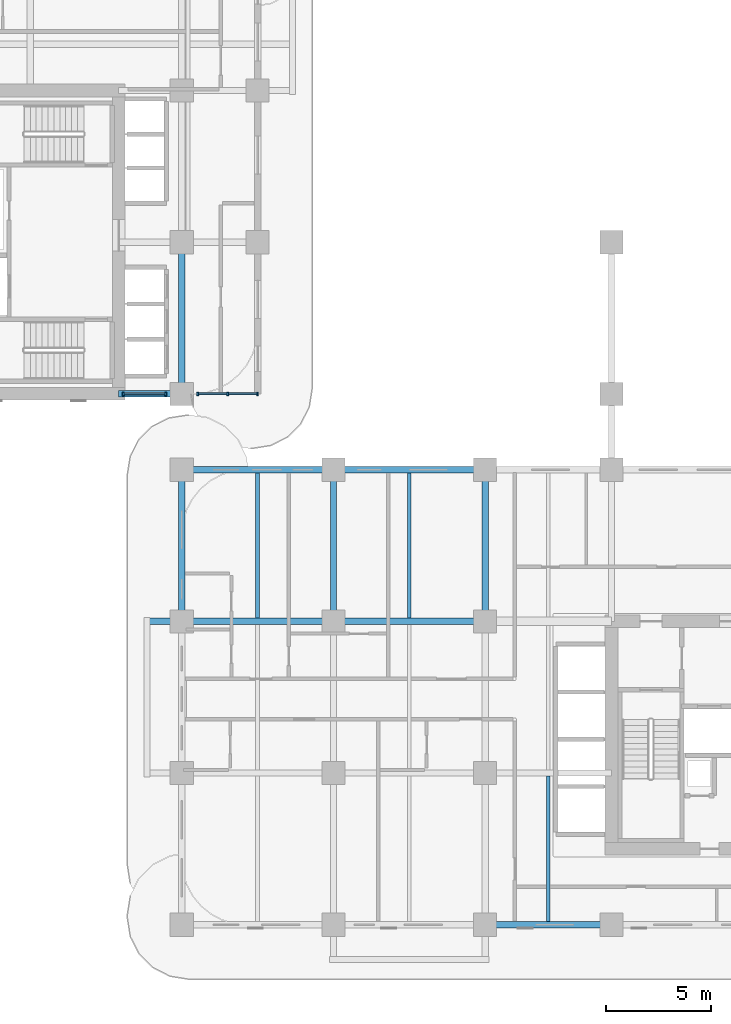
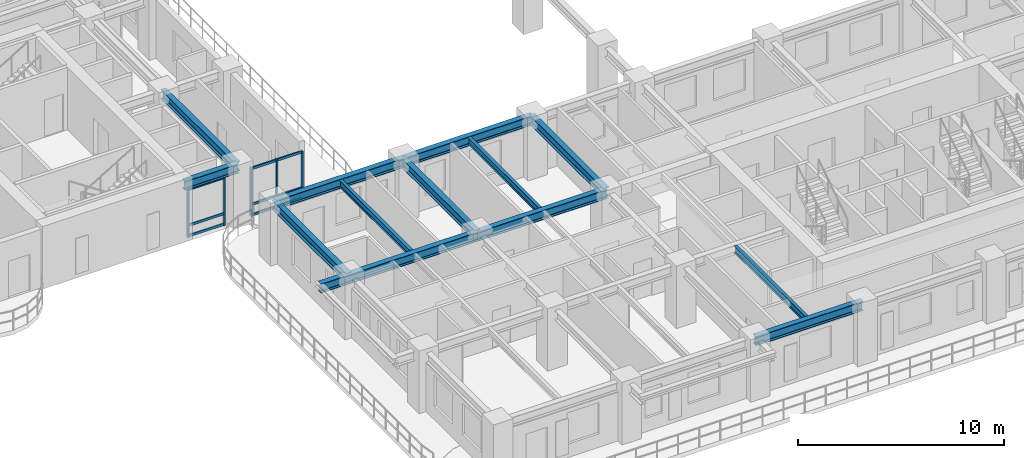
# One storey, part 2 of 19: 14 members, 13 beams, 2 elements without a shape of their own.
"""IFC4 building model written with IfcOpenShell, lengths in metres."""

from ifc_helpers import new_model, si_unit, derived_unit, direction, frame, origin, origin_2d, place, context, subcontext, project, spatial, rectangle, i_section, extrude, source, transform, mapped, material, layer, layer_set, material_profile, profile_set, type_object, type_shapes, element, aggregate, save


model = new_model("IFC4")

# Units and contexts
model_context = context("Model", 3, precision=1e-05, world=origin(), true_north=direction((0.0, 1.0)))
body_context = subcontext(model_context, "Body", "Model", "MODEL_VIEW")
ifc_project = project(units=[si_unit("LENGTHUNIT", "METRE"), si_unit("AREAUNIT", "SQUARE_METRE"), si_unit("VOLUMEUNIT", "CUBIC_METRE"), si_unit("PLANEANGLEUNIT", "RADIAN"), si_unit("MASSUNIT", "GRAM", prefix="KILO"), si_unit("THERMODYNAMICTEMPERATUREUNIT", "KELVIN"), si_unit("POWERUNIT", "WATT"), derived_unit("THERMALTRANSMITTANCEUNIT", [(si_unit("POWERUNIT", "WATT"), 1), (si_unit("AREAUNIT", "SQUARE_METRE"), -1), (si_unit("THERMODYNAMICTEMPERATUREUNIT", "KELVIN"), -1)])], contexts=[model_context])

# Site, building, storey
site_placement = place(None, origin())
site = spatial("IfcSite", under=ifc_project, at=site_placement, CompositionType="ELEMENT")
building_placement = place(site_placement, origin())
building = spatial("IfcBuilding", under=site, at=building_placement, Name="Zahravan Archway Hotel and Residences", CompositionType="ELEMENT")
storey_placement = place(building_placement, frame((0.0, 0.0, 47.199951171875)))
storey = spatial("IfcBuildingStorey", under=building, at=storey_placement, Name="L10", CompositionType="ELEMENT", Elevation=47.199951171875)

# Beams
ifc_material_1 = material(Name="Structural Steel S355JR", Category="steel")
ifc_material_profile_1 = material_profile(ifc_material_1, i_section(OverallWidth=0.300048828125, OverallDepth=0.550048828125, WebThickness=0.014892578125, FlangeThickness=0.029052734375, FilletRadius=0.027099609375, at=origin_2d()), Name="HEB 550", Category="steel")
ifc_profile_set_1 = profile_set([ifc_material_profile_1], Name="Structural Steel S355JR")
beam_type_1 = type_object("IfcBeamType", Name="BM-PRI-HEB550", PredefinedType="BEAM", material=ifc_profile_set_1)
shared_shape_1 = source(origin(), body_context, "Body", "SweptSolid", [
    extrude(i_section(OverallWidth=0.300048828125, OverallDepth=0.550048828125, WebThickness=0.014892578125, FlangeThickness=0.029052734375, FilletRadius=0.027099609375, at=origin_2d()), origin(), (0.0, 0.0, 1.0), 7.2001953125),
])
type_shapes(beam_type_1, [shared_shape_1])
for number, where, z_axis, x_axis, name in (
    (1, (14.39990234375, 21.60009765625, 3.175048828125), (1.0, 0.0, 0.0), (0.0, 1.0, 0.0), "L10 Primary Girder EW-14"),
    (2, (14.39990234375, 14.39990234375, 3.175048828125), (0.0, 1.0, 0.0), (-1.0, 0.0, 0.0), "L10 Primary Girder NS-33"),
    (3, (21.60009765625, 14.39990234375, 3.175048828125), (0.0, 1.0, 0.0), (-1.0, 0.0, 0.0), "L10 Primary Girder NS-39"),
    (4, (28.800048828125, 14.39990234375, 3.175048828125), (0.0, 1.0, 0.0), (-1.0, 0.0, 0.0), "L10 Primary Girder NS-42"),
):
    element("IfcBeam", number, at=place(storey_placement, frame(where, z_axis=z_axis, x_axis=x_axis)), inside=storey, type_object=beam_type_1, Name=name, PredefinedType="BEAM", context=body_context, shape_type="MappedRepresentation", body=[
        mapped(shared_shape_1, transform((0.0, 0.0, 0.0), scale=1.0)),
    ])
shared_shape_2 = source(origin(), body_context, "Body", "SweptSolid", [
    extrude(i_section(OverallWidth=0.300048828125, OverallDepth=0.550048828125, WebThickness=0.014892578125, FlangeThickness=0.029052734375, FilletRadius=0.027099609375, at=origin_2d()), origin(), (0.0, 0.0, 1.0), 7.199951171875),
])
for number, where, z_axis, x_axis, name in (
    (5, (21.60009765625, 14.39990234375, 3.175048828125), (1.0, 0.0, 0.0), (0.0, 1.0, 0.0), "L10 Primary Girder EW-12"),
    (6, (21.60009765625, 21.60009765625, 3.175048828125), (1.0, 0.0, 0.0), (0.0, 1.0, 0.0), "L10 Primary Girder EW-15"),
    (7, (14.39990234375, 25.199951171875, 3.175048828125), (0.0, 1.0, 0.0), (-1.0, 0.0, 0.0), "L10 Primary Girder NS-34"),
):
    element("IfcBeam", number, at=place(storey_placement, frame(where, z_axis=z_axis, x_axis=x_axis)), inside=storey, type_object=beam_type_1, Name=name, PredefinedType="BEAM", context=body_context, shape_type="MappedRepresentation", body=[
        mapped(shared_shape_2, transform((0.0, 0.0, 0.0), scale=1.0)),
    ])
shared_shape_3 = source(origin(), body_context, "Body", "SweptSolid", [
    extrude(i_section(OverallWidth=0.300048828125, OverallDepth=0.550048828125, WebThickness=0.014892578125, FlangeThickness=0.029052734375, FilletRadius=0.027099609375, at=origin_2d()), origin(), (0.0, 0.0, 1.0), 6.0),
])
beam_1_placement = place(storey_placement, frame((28.800048828125, 0.0, 3.175048828125), z_axis=(1.0, 0.0, 0.0), x_axis=(0.0, 1.0, 0.0)))
element("IfcBeam", 8, at=beam_1_placement, inside=storey, type_object=beam_type_1, Name="L10 Primary Girder EW-03", PredefinedType="BEAM", context=body_context, shape_type="MappedRepresentation", body=[
    mapped(shared_shape_3, transform((0.0, 0.0, 0.0), scale=1.0)),
])
shared_shape_4 = source(origin(), body_context, "Body", "SweptSolid", [
    extrude(i_section(OverallWidth=0.300048828125, OverallDepth=0.550048828125, WebThickness=0.014892578125, FlangeThickness=0.029052734375, FilletRadius=0.027099609375, at=origin_2d()), origin(), (0.0, 0.0, 1.0), 8.85009765625),
])
beam_2_placement = place(storey_placement, frame((12.75, 14.39990234375, 3.175048828125), z_axis=(1.0, 0.0, 0.0), x_axis=(0.0, 1.0, 0.0)))
element("IfcBeam", 9, at=beam_2_placement, inside=storey, type_object=beam_type_1, Name="L10 Primary Girder EW-11", PredefinedType="BEAM", context=body_context, shape_type="MappedRepresentation", body=[
    mapped(shared_shape_4, transform((0.0, 0.0, 0.0), scale=1.0)),
])
shared_shape_5 = source(origin(), body_context, "Body", "SweptSolid", [
    extrude(i_section(OverallWidth=0.300048828125, OverallDepth=0.550048828125, WebThickness=0.014892578125, FlangeThickness=0.029052734375, FilletRadius=0.027099609375, at=origin_2d()), origin(), (0.0, 0.0, 1.0), 3.0),
])
beam_3_placement = place(storey_placement, frame((11.39990234375, 25.199951171875, 3.175048828125), z_axis=(1.0, 0.0, 0.0), x_axis=(0.0, 1.0, 0.0)))
element("IfcBeam", 10, at=beam_3_placement, inside=storey, type_object=beam_type_1, Name="L10 Primary Girder EW-20", PredefinedType="BEAM", context=body_context, shape_type="MappedRepresentation", body=[
    mapped(shared_shape_5, transform((0.0, 0.0, 0.0), scale=1.0)),
])
ifc_material_profile_2 = material_profile(ifc_material_1, i_section(OverallWidth=0.179931640625, OverallDepth=0.39990234375, WebThickness=0.008544921875, FlangeThickness=0.013427734375, FilletRadius=0.02099609375, at=origin_2d()), Name="IPE 400", Category="steel")
ifc_profile_set_2 = profile_set([ifc_material_profile_2], Name="Structural Steel S355JR")
beam_type_2 = type_object("IfcBeamType", Name="BM-JST-IPE400", PredefinedType="JOIST", material=ifc_profile_set_2)
shared_shape_6 = source(origin(), body_context, "Body", "SweptSolid", [
    extrude(i_section(OverallWidth=0.179931640625, OverallDepth=0.39990234375, WebThickness=0.008544921875, FlangeThickness=0.013427734375, FilletRadius=0.02099609375, at=origin_2d()), origin(), (0.0, 0.0, 1.0), 6.904052734375),
])
type_shapes(beam_type_2, [shared_shape_6])
beam_4_placement = place(storey_placement, frame((31.800048828125, 0.14794921875, 3.25), z_axis=(0.0, 1.0, 0.0), x_axis=(-1.0, 0.0, 0.0)))
element("IfcBeam", 11, at=beam_4_placement, inside=storey, type_object=beam_type_2, Name="L10 Composite Floor Joist 03", PredefinedType="JOIST", context=body_context, shape_type="MappedRepresentation", body=[
    mapped(shared_shape_6, transform((0.0, 0.0, 0.0), scale=1.0)),
])
shared_shape_7 = source(origin(), body_context, "Body", "SweptSolid", [
    extrude(i_section(OverallWidth=0.179931640625, OverallDepth=0.39990234375, WebThickness=0.008544921875, FlangeThickness=0.013427734375, FilletRadius=0.02099609375, at=origin_2d()), origin(), (0.0, 0.0, 1.0), 6.90380859375),
])
for number, where, z_axis, x_axis, name in (
    (12, (18.0, 14.548095703125, 3.25), (0.0, 1.0, 0.0), (-1.0, 0.0, 0.0), "L10 Composite Floor Joist 10"),
    (13, (25.199951171875, 14.548095703125, 3.25), (0.0, 1.0, 0.0), (-1.0, 0.0, 0.0), "L10 Composite Floor Joist 11"),
):
    element("IfcBeam", number, at=place(storey_placement, frame(where, z_axis=z_axis, x_axis=x_axis)), inside=storey, type_object=beam_type_2, Name=name, PredefinedType="JOIST", context=body_context, shape_type="MappedRepresentation", body=[
        mapped(shared_shape_7, transform((0.0, 0.0, 0.0), scale=1.0)),
    ])

# Curtain wall, members
ifc_material_2 = material(Name="Bronze-Anodized Unitised Aluminium & Low-E Glass", Category="aluminium")
ifc_layer = layer(ifc_material_2, 0.179931640625, Name="Bronze-Anodized Unitised Aluminium & Low-E Glass", Category="aluminium")
ifc_layer_set = layer_set([ifc_layer], Name="Bronze-Anodized Unitised Aluminium & Low-E Glass")
curtain_wall_type = type_object("IfcCurtainWallType", Name="CW-TWR-FEAT", PredefinedType="NOTDEFINED", material=ifc_layer_set)
curtain_wall_1_placement = place(storey_placement, origin())
curtain_wall_1 = element("IfcCurtainWall", 14, at=curtain_wall_1_placement, inside=storey, type_object=curtain_wall_type, Name="L10 Curtain Wall CW-L10-WB-SE-2", PredefinedType="NOTDEFINED")
ifc_material_3 = material(Name="Bronze-Anodized Extruded Aluminium", Category="aluminium")
ifc_material_profile_3 = material_profile(ifc_material_3, rectangle(XDim=0.080078125, YDim=0.139892578125, at=origin_2d()), Name="TRN 80x140", Category="aluminium")
ifc_profile_set_3 = profile_set([ifc_material_profile_3], Name="Bronze-Anodized Extruded Aluminium")
member_type_1 = type_object("IfcMemberType", Name="CWM-TRN-140", PredefinedType="USERDEFINED", material=ifc_profile_set_3)
shared_shape_8 = source(origin(), body_context, "Body", "SweptSolid", [
    extrude(rectangle(XDim=0.080078125, YDim=0.139892578125, at=origin_2d()), origin(), (0.0, 0.0, 1.0), 1.33984375),
])
member_1_placement = place(storey_placement, frame((16.6201171875, 25.199951171875, 0.070068359375), z_axis=(1.0, 0.0, 0.0), x_axis=(0.0, 1.0, 0.0)))
member_1 = element("IfcMember", 15, at=member_1_placement, type_object=member_type_1, Name="CW-L10-WB-SE-2 Transom 1-1", ObjectType="TRANSOM", PredefinedType="USERDEFINED", context=body_context, shape_type="MappedRepresentation", body=[
    mapped(shared_shape_8, transform((0.0, 0.0, 0.0), scale=1.0)),
])
member_2_placement = place(storey_placement, frame((16.6201171875, 25.199951171875, 0.6923828125), z_axis=(1.0, 0.0, 0.0), x_axis=(0.0, 1.0, 0.0)))
member_2 = element("IfcMember", 16, at=member_2_placement, type_object=member_type_1, Name="CW-L10-WB-SE-2 Transom 1-2", ObjectType="TRANSOM", PredefinedType="USERDEFINED", context=body_context, shape_type="MappedRepresentation", body=[
    mapped(shared_shape_8, transform((0.0, 0.0, 0.0), scale=1.0)),
])
member_3_placement = place(storey_placement, frame((16.6201171875, 25.199951171875, 2.81494140625), z_axis=(1.0, 0.0, 0.0), x_axis=(0.0, 1.0, 0.0)))
member_3 = element("IfcMember", 17, at=member_3_placement, type_object=member_type_1, Name="CW-L10-WB-SE-2 Transom 1-3", ObjectType="TRANSOM", PredefinedType="USERDEFINED", context=body_context, shape_type="MappedRepresentation", body=[
    mapped(shared_shape_8, transform((0.0, 0.0, 0.0), scale=1.0)),
])
shared_shape_9 = source(origin(), body_context, "Body", "SweptSolid", [
    extrude(rectangle(XDim=0.080078125, YDim=0.139892578125, at=origin_2d()), origin(), (0.0, 0.0, 1.0), 1.340087890625),
])
member_4_placement = place(storey_placement, frame((15.199951171875, 25.199951171875, 0.070068359375), z_axis=(1.0, 0.0, 0.0), x_axis=(0.0, 1.0, 0.0)))
member_4 = element("IfcMember", 18, at=member_4_placement, type_object=member_type_1, Name="CW-L10-WB-SE-2 Transom 0-1", ObjectType="TRANSOM", PredefinedType="USERDEFINED", context=body_context, shape_type="MappedRepresentation", body=[
    mapped(shared_shape_9, transform((0.0, 0.0, 0.0), scale=1.0)),
])
member_5_placement = place(storey_placement, frame((15.199951171875, 25.199951171875, 0.6923828125), z_axis=(1.0, 0.0, 0.0), x_axis=(0.0, 1.0, 0.0)))
member_5 = element("IfcMember", 19, at=member_5_placement, type_object=member_type_1, Name="CW-L10-WB-SE-2 Transom 0-2", ObjectType="TRANSOM", PredefinedType="USERDEFINED", context=body_context, shape_type="MappedRepresentation", body=[
    mapped(shared_shape_9, transform((0.0, 0.0, 0.0), scale=1.0)),
])
member_6_placement = place(storey_placement, frame((15.199951171875, 25.199951171875, 2.81494140625), z_axis=(1.0, 0.0, 0.0), x_axis=(0.0, 1.0, 0.0)))
member_6 = element("IfcMember", 20, at=member_6_placement, type_object=member_type_1, Name="CW-L10-WB-SE-2 Transom 0-3", ObjectType="TRANSOM", PredefinedType="USERDEFINED", context=body_context, shape_type="MappedRepresentation", body=[
    mapped(shared_shape_9, transform((0.0, 0.0, 0.0), scale=1.0)),
])

curtain_wall_2_placement = place(storey_placement, origin())
curtain_wall_2 = element("IfcCurtainWall", 21, at=curtain_wall_2_placement, inside=storey, type_object=curtain_wall_type, Name="L10 Curtain Wall CW-L10-WB-SE-1", PredefinedType="NOTDEFINED")
ifc_material_profile_4 = material_profile(ifc_material_3, rectangle(XDim=0.080078125, YDim=0.159912109375, at=origin_2d()), Name="MUL 80x160", Category="aluminium")
ifc_profile_set_4 = profile_set([ifc_material_profile_4], Name="Bronze-Anodized Extruded Aluminium")
member_type_2 = type_object("IfcMemberType", Name="CWM-MUL-160", PredefinedType="MULLION", material=ifc_profile_set_4)
shared_shape_10 = source(origin(), body_context, "Body", "SweptSolid", [
    extrude(rectangle(XDim=0.080078125, YDim=0.159912109375, at=origin_2d()), origin(), (0.0, 0.0, 1.0), 2.885009765625),
])
member_7_placement = place(storey_placement, frame((11.6201171875, 25.199951171875, 0.0), z_axis=(0.0, 0.0, 1.0), x_axis=(1.0, 0.0, 0.0)))
member_7 = element("IfcMember", 22, at=member_7_placement, type_object=member_type_2, Name="CW-L10-WB-SE-1 Mullion 0", PredefinedType="MULLION", context=body_context, shape_type="MappedRepresentation", body=[
    mapped(shared_shape_10, transform((0.0, 0.0, 0.0), scale=1.0)),
])
member_8_placement = place(storey_placement, frame((13.639892578125, 25.199951171875, 0.0), z_axis=(0.0, 0.0, 1.0), x_axis=(1.0, 0.0, 0.0)))
member_8 = element("IfcMember", 23, at=member_8_placement, type_object=member_type_2, Name="CW-L10-WB-SE-1 Mullion 1", PredefinedType="MULLION", context=body_context, shape_type="MappedRepresentation", body=[
    mapped(shared_shape_10, transform((0.0, 0.0, 0.0), scale=1.0)),
])

# Member
member_9_placement = place(storey_placement, frame((15.159912109375, 25.199951171875, 0.0), z_axis=(0.0, 0.0, 1.0), x_axis=(1.0, 0.0, 0.0)))
member_9 = element("IfcMember", 24, at=member_9_placement, type_object=member_type_2, Name="CW-L10-WB-SE-2 Mullion 0", PredefinedType="MULLION", context=body_context, shape_type="MappedRepresentation", body=[
    mapped(shared_shape_10, transform((0.0, 0.0, 0.0), scale=1.0)),
])

member_10_placement = place(storey_placement, frame((16.580078125, 25.199951171875, 0.0), z_axis=(0.0, 0.0, 1.0), x_axis=(1.0, 0.0, 0.0)))
member_10 = element("IfcMember", 25, at=member_10_placement, type_object=member_type_2, Name="CW-L10-WB-SE-2 Mullion 1", PredefinedType="MULLION", context=body_context, shape_type="MappedRepresentation", body=[
    mapped(shared_shape_10, transform((0.0, 0.0, 0.0), scale=1.0)),
])

member_11_placement = place(storey_placement, frame((18.0, 25.199951171875, 0.0), z_axis=(0.0, 0.0, 1.0), x_axis=(1.0, 0.0, 0.0)))
member_11 = element("IfcMember", 26, at=member_11_placement, type_object=member_type_2, Name="CW-L10-WB-SE-2 Mullion 2", PredefinedType="MULLION", context=body_context, shape_type="MappedRepresentation", body=[
    mapped(shared_shape_10, transform((0.0, 0.0, 0.0), scale=1.0)),
])

aggregate(curtain_wall_1, [member_9, member_10, member_11, member_4, member_5, member_6, member_1, member_2, member_3])

shared_shape_11 = source(origin(), body_context, "Body", "SweptSolid", [
    extrude(rectangle(XDim=0.080078125, YDim=0.139892578125, at=origin_2d()), origin(), (0.0, 0.0, 1.0), 1.940185546875),
])
member_12_placement = place(storey_placement, frame((11.659912109375, 25.199951171875, 0.070068359375), z_axis=(1.0, 0.0, 0.0), x_axis=(0.0, 1.0, 0.0)))
member_12 = element("IfcMember", 27, at=member_12_placement, type_object=member_type_1, Name="CW-L10-WB-SE-1 Transom 0-1", ObjectType="TRANSOM", PredefinedType="USERDEFINED", context=body_context, shape_type="MappedRepresentation", body=[
    mapped(shared_shape_11, transform((0.0, 0.0, 0.0), scale=1.0)),
])

member_13_placement = place(storey_placement, frame((11.659912109375, 25.199951171875, 0.6923828125), z_axis=(1.0, 0.0, 0.0), x_axis=(0.0, 1.0, 0.0)))
member_13 = element("IfcMember", 28, at=member_13_placement, type_object=member_type_1, Name="CW-L10-WB-SE-1 Transom 0-2", ObjectType="TRANSOM", PredefinedType="USERDEFINED", context=body_context, shape_type="MappedRepresentation", body=[
    mapped(shared_shape_11, transform((0.0, 0.0, 0.0), scale=1.0)),
])

member_14_placement = place(storey_placement, frame((11.659912109375, 25.199951171875, 2.81494140625), z_axis=(1.0, 0.0, 0.0), x_axis=(0.0, 1.0, 0.0)))
member_14 = element("IfcMember", 29, at=member_14_placement, type_object=member_type_1, Name="CW-L10-WB-SE-1 Transom 0-3", ObjectType="TRANSOM", PredefinedType="USERDEFINED", context=body_context, shape_type="MappedRepresentation", body=[
    mapped(shared_shape_11, transform((0.0, 0.0, 0.0), scale=1.0)),
])

aggregate(curtain_wall_2, [member_7, member_8, member_12, member_13, member_14])

save(model, "model.ifc")
